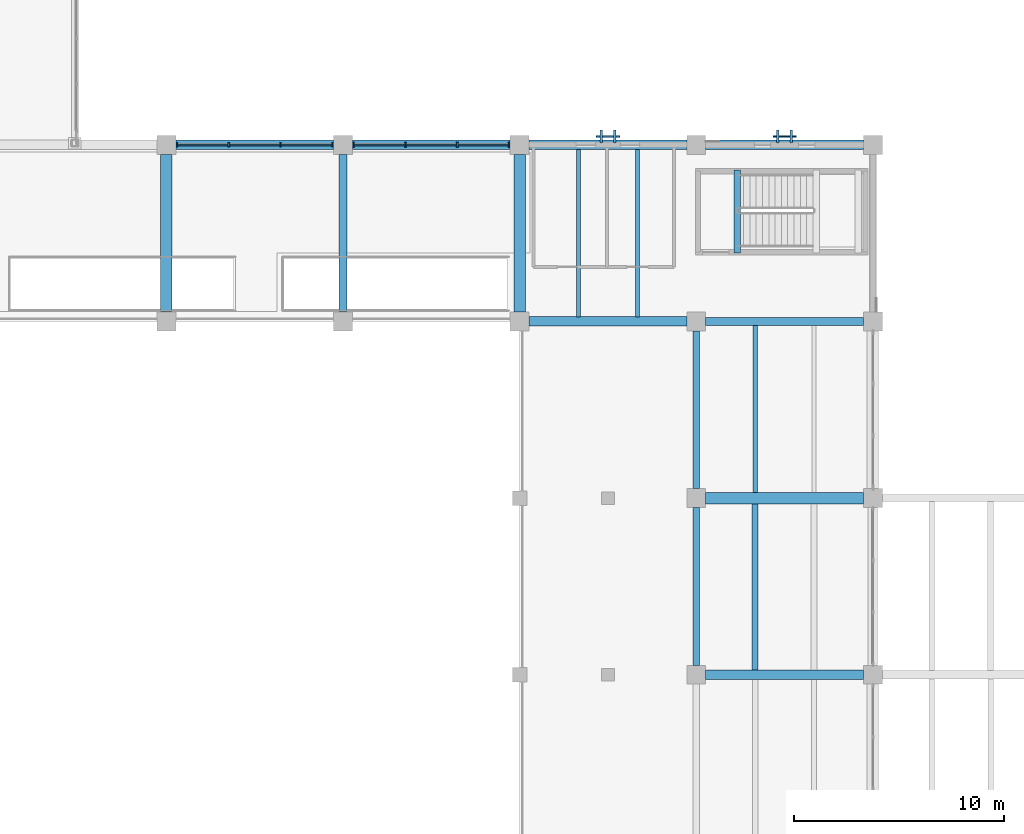
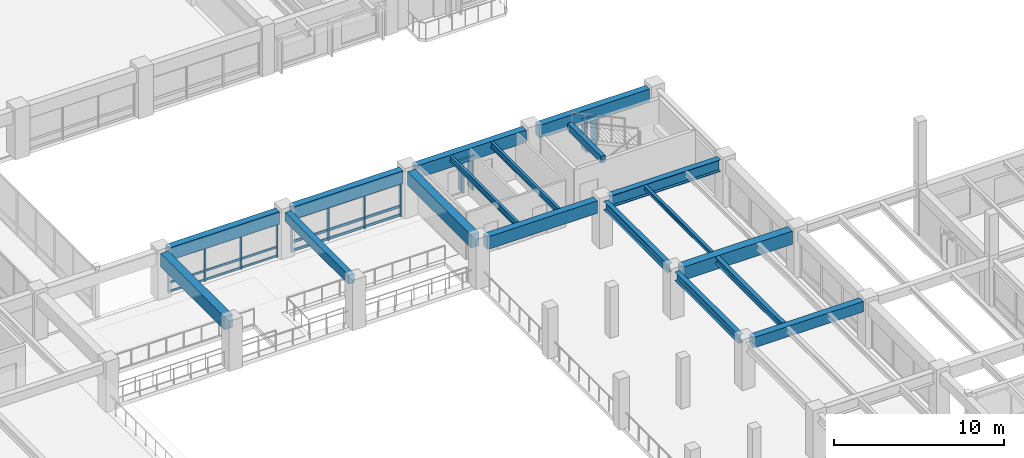
# One storey, part 19 of 118: 32 members, 18 beams, 4 elements without a shape of their own.
"""IFC4 building model written with IfcOpenShell, lengths in metres."""

from ifc_helpers import new_model, si_unit, direction, frame, origin, origin_2d, place, context, subcontext, project, spatial, rectangle, i_section, extrude, material, material_profile, profile_set, type_object, element, aggregate, save


model = new_model("IFC4")

# Units and contexts
model_context = context("Model", 3, precision=1e-05, world=origin(), true_north=direction((0.0, 1.0)))
body_context = subcontext(model_context, "Body", "Model", "MODEL_VIEW")
ifc_project = project(units=[si_unit("LENGTHUNIT", "METRE"), si_unit("AREAUNIT", "SQUARE_METRE"), si_unit("VOLUMEUNIT", "CUBIC_METRE"), si_unit("PLANEANGLEUNIT", "RADIAN"), si_unit("MASSUNIT", "GRAM", prefix="KILO")], contexts=[model_context])

# Site, building, storey
site_placement = place(None, origin())
site = spatial("IfcSite", under=ifc_project, at=site_placement, CompositionType="ELEMENT")
building_placement = place(site_placement, origin())
building = spatial("IfcBuilding", under=site, at=building_placement, Name="Cumbredor Promenade Congress Hotel", CompositionType="ELEMENT")
storey_placement = place(building_placement, frame((0.0, 0.0, 3.919921875)))
storey = spatial("IfcBuildingStorey", under=building, at=storey_placement, Name="L01", CompositionType="ELEMENT", Elevation=3.919921875)

# Beams
ifc_material_1 = material(Name="Concrete C40/50", Category="concrete")
ifc_material_profile_1 = material_profile(ifc_material_1, rectangle(XDim=0.39990234375, YDim=0.64990234375, at=origin_2d()), Name="RC BEAM 400x650")
ifc_profile_set_1 = profile_set([ifc_material_profile_1], Name="Concrete C40/50")
beam_type_1 = type_object("IfcBeamType", Name="BM-RC-400x650", PredefinedType="BEAM", material=ifc_profile_set_1)
beam_1_placement = place(storey_placement, frame((42.0, 59.25, 3.03515625), z_axis=(0.0, 1.0, 0.0), x_axis=(-1.0, 0.0, 0.0)))
element("IfcBeam", 1, at=beam_1_placement, inside=storey, type_object=beam_type_1, Name="L02 Y-Grid Beam 069", PredefinedType="BEAM", context=body_context, shape_type="SweptSolid", body=[
    extrude(rectangle(XDim=0.39990234375, YDim=0.64990234375, at=origin_2d()), origin(), (0.0, 0.0, 1.0), 7.5),
])
ifc_material_profile_2 = material_profile(ifc_material_1, rectangle(XDim=0.449951171875, YDim=0.75, at=origin_2d()), Name="RC BEAM 450x750")
ifc_profile_set_2 = profile_set([ifc_material_profile_2], Name="Concrete C40/50")
beam_type_2 = type_object("IfcBeamType", Name="BM-RC-450x750", PredefinedType="BEAM", material=ifc_profile_set_2)
beam_2_placement = place(storey_placement, frame((59.25, 42.0, 2.985107421875), z_axis=(1.0, 0.0, 0.0), x_axis=(0.0, 1.0, 0.0)))
element("IfcBeam", 2, at=beam_2_placement, inside=storey, type_object=beam_type_2, Name="L02 X-Grid Beam 098", PredefinedType="BEAM", context=body_context, shape_type="SweptSolid", body=[
    extrude(rectangle(XDim=0.449951171875, YDim=0.75, at=origin_2d()), origin(), (0.0, 0.0, 1.0), 7.5),
])
ifc_material_profile_3 = material_profile(ifc_material_1, rectangle(XDim=0.550048828125, YDim=0.949951171875, at=origin_2d()), Name="RC BEAM 550x950")
ifc_profile_set_3 = profile_set([ifc_material_profile_3], Name="Concrete C40/50")
beam_type_3 = type_object("IfcBeamType", Name="BM-RC-550x950", PredefinedType="BEAM", material=ifc_profile_set_3)
for number, where, z_axis, x_axis, name in (
    (3, (33.60009765625, 59.25, 2.885009765625), (0.0, 1.0, 0.0), (-1.0, 0.0, 0.0), "L02 Y-Grid Beam 060"),
    (4, (50.39990234375, 59.25, 2.885009765625), (0.0, 1.0, 0.0), (-1.0, 0.0, 0.0), "L02 Y-Grid Beam 080"),
    (5, (59.25, 50.39990234375, 2.885009765625), (1.0, 0.0, 0.0), (0.0, 1.0, 0.0), "L02 X-Grid Beam 100"),
):
    element("IfcBeam", number, at=place(storey_placement, frame(where, z_axis=z_axis, x_axis=x_axis)), inside=storey, type_object=beam_type_3, Name=name, PredefinedType="BEAM", context=body_context, shape_type="SweptSolid", body=[
        extrude(rectangle(XDim=0.550048828125, YDim=0.949951171875, at=origin_2d()), origin(), (0.0, 0.0, 1.0), 7.5),
    ])
ifc_material_2 = material(Name="Steel ASTM A992 Grade 50", Category="steel")
ifc_material_profile_4 = material_profile(ifc_material_2, i_section(OverallWidth=0.39990234375, OverallDepth=0.85498046875, WebThickness=0.018310546875, FlangeThickness=0.029296875, at=origin_2d()), Name="W33X201")
ifc_profile_set_4 = profile_set([ifc_material_profile_4], Name="Steel ASTM A992 Grade 50")
beam_type_4 = type_object("IfcBeamType", Name="BM-W33X201", PredefinedType="BEAM", material=ifc_profile_set_4)
beam_3_placement = place(storey_placement, frame((59.25, 58.800048828125, 2.9326171875), z_axis=(1.0, 0.0, 0.0), x_axis=(0.0, 1.0, 0.0)))
element("IfcBeam", 6, at=beam_3_placement, inside=storey, type_object=beam_type_4, Name="L02 X-Grid Beam 102", PredefinedType="BEAM", context=body_context, shape_type="SweptSolid", body=[
    extrude(i_section(OverallWidth=0.39990234375, OverallDepth=0.85498046875, WebThickness=0.018310546875, FlangeThickness=0.029296875, at=origin_2d()), origin(), (0.0, 0.0, 1.0), 7.5),
])

# Curtain wall, members
ifc_material_3 = material(Name="Thermally broken anodized aluminium and low-E glass", Category="aluminium")
curtain_wall_type_1 = type_object("IfcCurtainWallType", Name="Unitised Bronze Curtain Wall CW-01", PredefinedType="NOTDEFINED", material=ifc_material_3)
curtain_wall_1_placement = place(storey_placement, origin())
curtain_wall_1 = element("IfcCurtainWall", 7, at=curtain_wall_1_placement, inside=storey, type_object=curtain_wall_type_1, Name="L01 Plenary Congress Hall North Curtain Wall 4", PredefinedType="NOTDEFINED")
ifc_material_4 = material(Name="Thermally broken anodized aluminium", Category="aluminium")
ifc_material_profile_5 = material_profile(ifc_material_4, rectangle(XDim=0.074951171875, YDim=0.199951171875, at=origin_2d()), Name="ALU MULLION 75x200")
ifc_profile_set_5 = profile_set([ifc_material_profile_5], Name="Thermally broken anodized aluminium")
member_type_1 = type_object("IfcMemberType", Name="Curtain Wall Mullion ML-02", PredefinedType="MULLION", material=ifc_profile_set_5)
member_1_placement = place(storey_placement, frame((34.10498046875, 67.199951171875, -0.0078125), z_axis=(0.0, 0.0, 1.0), x_axis=(1.0, 0.0, 0.0)))
member_1 = element("IfcMember", 8, at=member_1_placement, type_object=member_type_1, Name="L01 Plenary Congress Hall North Curtain Wall 4 Mullion 1", PredefinedType="MULLION", context=body_context, shape_type="SweptSolid", body=[
    extrude(rectangle(XDim=0.074951171875, YDim=0.199951171875, at=origin_2d()), origin(), (0.0, 0.0, 1.0), 2.4609375),
])
member_2_placement = place(storey_placement, frame((36.568359375, 67.199951171875, -0.0078125), z_axis=(0.0, 0.0, 1.0), x_axis=(1.0, 0.0, 0.0)))
member_2 = element("IfcMember", 9, at=member_2_placement, type_object=member_type_1, Name="L01 Plenary Congress Hall North Curtain Wall 4 Mullion 2", PredefinedType="MULLION", context=body_context, shape_type="SweptSolid", body=[
    extrude(rectangle(XDim=0.074951171875, YDim=0.199951171875, at=origin_2d()), origin(), (0.0, 0.0, 1.0), 2.4609375),
])
member_3_placement = place(storey_placement, frame((39.03173828125, 67.199951171875, -0.0078125), z_axis=(0.0, 0.0, 1.0), x_axis=(1.0, 0.0, 0.0)))
member_3 = element("IfcMember", 10, at=member_3_placement, type_object=member_type_1, Name="L01 Plenary Congress Hall North Curtain Wall 4 Mullion 3", PredefinedType="MULLION", context=body_context, shape_type="SweptSolid", body=[
    extrude(rectangle(XDim=0.074951171875, YDim=0.199951171875, at=origin_2d()), origin(), (0.0, 0.0, 1.0), 2.4609375),
])
member_4_placement = place(storey_placement, frame((41.4951171875, 67.199951171875, -0.0078125), z_axis=(0.0, 0.0, 1.0), x_axis=(1.0, 0.0, 0.0)))
member_4 = element("IfcMember", 11, at=member_4_placement, type_object=member_type_1, Name="L01 Plenary Congress Hall North Curtain Wall 4 Mullion 4", PredefinedType="MULLION", context=body_context, shape_type="SweptSolid", body=[
    extrude(rectangle(XDim=0.074951171875, YDim=0.199951171875, at=origin_2d()), origin(), (0.0, 0.0, 1.0), 2.4609375),
])

curtain_wall_2_placement = place(storey_placement, origin())
curtain_wall_2 = element("IfcCurtainWall", 12, at=curtain_wall_2_placement, inside=storey, type_object=curtain_wall_type_1, Name="L01 Plenary Congress Hall North Curtain Wall 5", PredefinedType="NOTDEFINED")
ifc_material_profile_6 = material_profile(ifc_material_4, rectangle(XDim=0.080078125, YDim=0.239990234375, at=origin_2d()), Name="ALU MULLION 80x240")
ifc_profile_set_6 = profile_set([ifc_material_profile_6], Name="Thermally broken anodized aluminium")
member_type_2 = type_object("IfcMemberType", Name="Curtain Wall Mullion ML-03", PredefinedType="MULLION", material=ifc_profile_set_6)
member_5_placement = place(storey_placement, frame((42.5048828125, 67.199951171875, -0.0078125), z_axis=(0.0, 0.0, 1.0), x_axis=(1.0, 0.0, 0.0)))
member_5 = element("IfcMember", 13, at=member_5_placement, type_object=member_type_2, Name="L01 Plenary Congress Hall North Curtain Wall 5 Mullion 1", PredefinedType="MULLION", context=body_context, shape_type="SweptSolid", body=[
    extrude(rectangle(XDim=0.080078125, YDim=0.239990234375, at=origin_2d()), origin(), (0.0, 0.0, 1.0), 2.4609375),
])
member_6_placement = place(storey_placement, frame((44.96826171875, 67.199951171875, -0.0078125), z_axis=(0.0, 0.0, 1.0), x_axis=(1.0, 0.0, 0.0)))
member_6 = element("IfcMember", 14, at=member_6_placement, type_object=member_type_2, Name="L01 Plenary Congress Hall North Curtain Wall 5 Mullion 2", PredefinedType="MULLION", context=body_context, shape_type="SweptSolid", body=[
    extrude(rectangle(XDim=0.080078125, YDim=0.239990234375, at=origin_2d()), origin(), (0.0, 0.0, 1.0), 2.4609375),
])
member_7_placement = place(storey_placement, frame((47.431640625, 67.199951171875, -0.0078125), z_axis=(0.0, 0.0, 1.0), x_axis=(1.0, 0.0, 0.0)))
member_7 = element("IfcMember", 15, at=member_7_placement, type_object=member_type_2, Name="L01 Plenary Congress Hall North Curtain Wall 5 Mullion 3", PredefinedType="MULLION", context=body_context, shape_type="SweptSolid", body=[
    extrude(rectangle(XDim=0.080078125, YDim=0.239990234375, at=origin_2d()), origin(), (0.0, 0.0, 1.0), 2.4609375),
])
member_8_placement = place(storey_placement, frame((49.89501953125, 67.199951171875, -0.0078125), z_axis=(0.0, 0.0, 1.0), x_axis=(1.0, 0.0, 0.0)))
member_8 = element("IfcMember", 16, at=member_8_placement, type_object=member_type_2, Name="L01 Plenary Congress Hall North Curtain Wall 5 Mullion 4", PredefinedType="MULLION", context=body_context, shape_type="SweptSolid", body=[
    extrude(rectangle(XDim=0.080078125, YDim=0.239990234375, at=origin_2d()), origin(), (0.0, 0.0, 1.0), 2.4609375),
])

# Curtain wall, member
curtain_wall_type_2 = type_object("IfcCurtainWallType", Name="Solar Brise-Soleil Screen Assembly CW-07", PredefinedType="NOTDEFINED", material=ifc_material_3)
curtain_wall_3_placement = place(storey_placement, origin())
curtain_wall_3 = element("IfcCurtainWall", 17, at=curtain_wall_3_placement, inside=storey, type_object=curtain_wall_type_2, Name="L01 Pier Brise-Soleil Screen 0157", PredefinedType="NOTDEFINED")
ifc_material_profile_7 = material_profile(ifc_material_4, rectangle(XDim=0.06494140625, YDim=0.1298828125, at=origin_2d()), Name="ALU TRANSOM 65x130")
ifc_profile_set_7 = profile_set([ifc_material_profile_7], Name="Thermally broken anodized aluminium")
member_type_3 = type_object("IfcMemberType", Name="Curtain Wall Transom TR-01", PredefinedType="USERDEFINED", material=ifc_profile_set_7)
member_9_placement = place(storey_placement, frame((54.050048828125, 67.590087890625, 2.28515625), z_axis=(1.0, 0.0, 0.0), x_axis=(0.0, 1.0, 0.0)))
member_9 = element("IfcMember", 18, at=member_9_placement, type_object=member_type_3, Name="L01 Pier Brise-Soleil Header 0159", ObjectType="TRANSOM", PredefinedType="USERDEFINED", context=body_context, shape_type="SweptSolid", body=[
    extrude(rectangle(XDim=0.06494140625, YDim=0.1298828125, at=origin_2d()), origin(), (0.0, 0.0, 1.0), 1.099853515625),
])

curtain_wall_4_placement = place(storey_placement, origin())
curtain_wall_4 = element("IfcCurtainWall", 19, at=curtain_wall_4_placement, inside=storey, type_object=curtain_wall_type_2, Name="L01 Pier Brise-Soleil Screen 0160", PredefinedType="NOTDEFINED")
member_10_placement = place(storey_placement, frame((62.449951171875, 67.60009765625, 2.28515625), z_axis=(1.0, 0.0, 0.0), x_axis=(0.0, 1.0, 0.0)))
member_10 = element("IfcMember", 20, at=member_10_placement, type_object=member_type_3, Name="L01 Pier Brise-Soleil Header 0162", ObjectType="TRANSOM", PredefinedType="USERDEFINED", context=body_context, shape_type="SweptSolid", body=[
    extrude(rectangle(XDim=0.06494140625, YDim=0.1298828125, at=origin_2d()), origin(), (0.0, 0.0, 1.0), 1.10009765625),
])

# Member
ifc_material_profile_8 = material_profile(ifc_material_4, rectangle(XDim=0.074951171875, YDim=0.14990234375, at=origin_2d()), Name="ALU TRANSOM 75x150")
ifc_profile_set_8 = profile_set([ifc_material_profile_8], Name="Thermally broken anodized aluminium")
member_type_4 = type_object("IfcMemberType", Name="Curtain Wall Transom TR-02", PredefinedType="USERDEFINED", material=ifc_profile_set_8)
member_11_placement = place(storey_placement, frame((34.142578125, 67.199951171875, 0.080078125), z_axis=(1.0, 0.0, 0.0), x_axis=(0.0, 1.0, 0.0)))
member_11 = element("IfcMember", 21, at=member_11_placement, type_object=member_type_4, Name="L01 Plenary Congress Hall North Curtain Wall 4 Transom 1.1", ObjectType="TRANSOM", PredefinedType="USERDEFINED", context=body_context, shape_type="SweptSolid", body=[
    extrude(rectangle(XDim=0.074951171875, YDim=0.14990234375, at=origin_2d()), origin(), (0.0, 0.0, 1.0), 2.38818359375),
])

member_12_placement = place(storey_placement, frame((34.142578125, 67.199951171875, 0.719970703125), z_axis=(1.0, 0.0, 0.0), x_axis=(0.0, 1.0, 0.0)))
member_12 = element("IfcMember", 22, at=member_12_placement, type_object=member_type_4, Name="L01 Plenary Congress Hall North Curtain Wall 4 Transom 1.2", ObjectType="TRANSOM", PredefinedType="USERDEFINED", context=body_context, shape_type="SweptSolid", body=[
    extrude(rectangle(XDim=0.074951171875, YDim=0.14990234375, at=origin_2d()), origin(), (0.0, 0.0, 1.0), 2.38818359375),
])

member_13_placement = place(storey_placement, frame((34.142578125, 67.199951171875, 2.3701171875), z_axis=(1.0, 0.0, 0.0), x_axis=(0.0, 1.0, 0.0)))
member_13 = element("IfcMember", 23, at=member_13_placement, type_object=member_type_4, Name="L01 Plenary Congress Hall North Curtain Wall 4 Transom 1.3", ObjectType="TRANSOM", PredefinedType="USERDEFINED", context=body_context, shape_type="SweptSolid", body=[
    extrude(rectangle(XDim=0.074951171875, YDim=0.14990234375, at=origin_2d()), origin(), (0.0, 0.0, 1.0), 2.38818359375),
])

member_14_placement = place(storey_placement, frame((36.605712890625, 67.199951171875, 0.080078125), z_axis=(1.0, 0.0, 0.0), x_axis=(0.0, 1.0, 0.0)))
member_14 = element("IfcMember", 24, at=member_14_placement, type_object=member_type_4, Name="L01 Plenary Congress Hall North Curtain Wall 4 Transom 2.1", ObjectType="TRANSOM", PredefinedType="USERDEFINED", context=body_context, shape_type="SweptSolid", body=[
    extrude(rectangle(XDim=0.074951171875, YDim=0.14990234375, at=origin_2d()), origin(), (0.0, 0.0, 1.0), 2.388427734375),
])

member_15_placement = place(storey_placement, frame((36.605712890625, 67.199951171875, 0.719970703125), z_axis=(1.0, 0.0, 0.0), x_axis=(0.0, 1.0, 0.0)))
member_15 = element("IfcMember", 25, at=member_15_placement, type_object=member_type_4, Name="L01 Plenary Congress Hall North Curtain Wall 4 Transom 2.2", ObjectType="TRANSOM", PredefinedType="USERDEFINED", context=body_context, shape_type="SweptSolid", body=[
    extrude(rectangle(XDim=0.074951171875, YDim=0.14990234375, at=origin_2d()), origin(), (0.0, 0.0, 1.0), 2.388427734375),
])

member_16_placement = place(storey_placement, frame((36.605712890625, 67.199951171875, 2.3701171875), z_axis=(1.0, 0.0, 0.0), x_axis=(0.0, 1.0, 0.0)))
member_16 = element("IfcMember", 26, at=member_16_placement, type_object=member_type_4, Name="L01 Plenary Congress Hall North Curtain Wall 4 Transom 2.3", ObjectType="TRANSOM", PredefinedType="USERDEFINED", context=body_context, shape_type="SweptSolid", body=[
    extrude(rectangle(XDim=0.074951171875, YDim=0.14990234375, at=origin_2d()), origin(), (0.0, 0.0, 1.0), 2.388427734375),
])

member_17_placement = place(storey_placement, frame((39.069091796875, 67.199951171875, 0.080078125), z_axis=(1.0, 0.0, 0.0), x_axis=(0.0, 1.0, 0.0)))
member_17 = element("IfcMember", 27, at=member_17_placement, type_object=member_type_4, Name="L01 Plenary Congress Hall North Curtain Wall 4 Transom 3.1", ObjectType="TRANSOM", PredefinedType="USERDEFINED", context=body_context, shape_type="SweptSolid", body=[
    extrude(rectangle(XDim=0.074951171875, YDim=0.14990234375, at=origin_2d()), origin(), (0.0, 0.0, 1.0), 2.388427734375),
])

member_18_placement = place(storey_placement, frame((39.069091796875, 67.199951171875, 0.719970703125), z_axis=(1.0, 0.0, 0.0), x_axis=(0.0, 1.0, 0.0)))
member_18 = element("IfcMember", 28, at=member_18_placement, type_object=member_type_4, Name="L01 Plenary Congress Hall North Curtain Wall 4 Transom 3.2", ObjectType="TRANSOM", PredefinedType="USERDEFINED", context=body_context, shape_type="SweptSolid", body=[
    extrude(rectangle(XDim=0.074951171875, YDim=0.14990234375, at=origin_2d()), origin(), (0.0, 0.0, 1.0), 2.388427734375),
])

member_19_placement = place(storey_placement, frame((39.069091796875, 67.199951171875, 2.3701171875), z_axis=(1.0, 0.0, 0.0), x_axis=(0.0, 1.0, 0.0)))
member_19 = element("IfcMember", 29, at=member_19_placement, type_object=member_type_4, Name="L01 Plenary Congress Hall North Curtain Wall 4 Transom 3.3", ObjectType="TRANSOM", PredefinedType="USERDEFINED", context=body_context, shape_type="SweptSolid", body=[
    extrude(rectangle(XDim=0.074951171875, YDim=0.14990234375, at=origin_2d()), origin(), (0.0, 0.0, 1.0), 2.388427734375),
])

aggregate(curtain_wall_1, [member_1, member_2, member_3, member_4, member_11, member_12, member_13, member_14, member_15, member_16, member_17, member_18, member_19])

ifc_material_profile_9 = material_profile(ifc_material_4, rectangle(XDim=0.080078125, YDim=0.179931640625, at=origin_2d()), Name="ALU TRANSOM 80x180")
ifc_profile_set_9 = profile_set([ifc_material_profile_9], Name="Thermally broken anodized aluminium")
member_type_5 = type_object("IfcMemberType", Name="Curtain Wall Transom TR-03", PredefinedType="USERDEFINED", material=ifc_profile_set_9)
member_20_placement = place(storey_placement, frame((42.544921875, 67.199951171875, 0.090087890625), z_axis=(1.0, 0.0, 0.0), x_axis=(0.0, 1.0, 0.0)))
member_20 = element("IfcMember", 30, at=member_20_placement, type_object=member_type_5, Name="L01 Plenary Congress Hall North Curtain Wall 5 Transom 1.1", ObjectType="TRANSOM", PredefinedType="USERDEFINED", context=body_context, shape_type="SweptSolid", body=[
    extrude(rectangle(XDim=0.080078125, YDim=0.179931640625, at=origin_2d()), origin(), (0.0, 0.0, 1.0), 2.38330078125),
])

member_21_placement = place(storey_placement, frame((42.544921875, 67.199951171875, 0.719970703125), z_axis=(1.0, 0.0, 0.0), x_axis=(0.0, 1.0, 0.0)))
member_21 = element("IfcMember", 31, at=member_21_placement, type_object=member_type_5, Name="L01 Plenary Congress Hall North Curtain Wall 5 Transom 1.2", ObjectType="TRANSOM", PredefinedType="USERDEFINED", context=body_context, shape_type="SweptSolid", body=[
    extrude(rectangle(XDim=0.080078125, YDim=0.179931640625, at=origin_2d()), origin(), (0.0, 0.0, 1.0), 2.38330078125),
])

member_22_placement = place(storey_placement, frame((42.544921875, 67.199951171875, 2.360107421875), z_axis=(1.0, 0.0, 0.0), x_axis=(0.0, 1.0, 0.0)))
member_22 = element("IfcMember", 32, at=member_22_placement, type_object=member_type_5, Name="L01 Plenary Congress Hall North Curtain Wall 5 Transom 1.3", ObjectType="TRANSOM", PredefinedType="USERDEFINED", context=body_context, shape_type="SweptSolid", body=[
    extrude(rectangle(XDim=0.080078125, YDim=0.179931640625, at=origin_2d()), origin(), (0.0, 0.0, 1.0), 2.38330078125),
])

member_23_placement = place(storey_placement, frame((45.00830078125, 67.199951171875, 0.090087890625), z_axis=(1.0, 0.0, 0.0), x_axis=(0.0, 1.0, 0.0)))
member_23 = element("IfcMember", 33, at=member_23_placement, type_object=member_type_5, Name="L01 Plenary Congress Hall North Curtain Wall 5 Transom 2.1", ObjectType="TRANSOM", PredefinedType="USERDEFINED", context=body_context, shape_type="SweptSolid", body=[
    extrude(rectangle(XDim=0.080078125, YDim=0.179931640625, at=origin_2d()), origin(), (0.0, 0.0, 1.0), 2.38330078125),
])

member_24_placement = place(storey_placement, frame((45.00830078125, 67.199951171875, 0.719970703125), z_axis=(1.0, 0.0, 0.0), x_axis=(0.0, 1.0, 0.0)))
member_24 = element("IfcMember", 34, at=member_24_placement, type_object=member_type_5, Name="L01 Plenary Congress Hall North Curtain Wall 5 Transom 2.2", ObjectType="TRANSOM", PredefinedType="USERDEFINED", context=body_context, shape_type="SweptSolid", body=[
    extrude(rectangle(XDim=0.080078125, YDim=0.179931640625, at=origin_2d()), origin(), (0.0, 0.0, 1.0), 2.38330078125),
])

member_25_placement = place(storey_placement, frame((45.00830078125, 67.199951171875, 2.360107421875), z_axis=(1.0, 0.0, 0.0), x_axis=(0.0, 1.0, 0.0)))
member_25 = element("IfcMember", 35, at=member_25_placement, type_object=member_type_5, Name="L01 Plenary Congress Hall North Curtain Wall 5 Transom 2.3", ObjectType="TRANSOM", PredefinedType="USERDEFINED", context=body_context, shape_type="SweptSolid", body=[
    extrude(rectangle(XDim=0.080078125, YDim=0.179931640625, at=origin_2d()), origin(), (0.0, 0.0, 1.0), 2.38330078125),
])

member_26_placement = place(storey_placement, frame((47.4716796875, 67.199951171875, 0.090087890625), z_axis=(1.0, 0.0, 0.0), x_axis=(0.0, 1.0, 0.0)))
member_26 = element("IfcMember", 36, at=member_26_placement, type_object=member_type_5, Name="L01 Plenary Congress Hall North Curtain Wall 5 Transom 3.1", ObjectType="TRANSOM", PredefinedType="USERDEFINED", context=body_context, shape_type="SweptSolid", body=[
    extrude(rectangle(XDim=0.080078125, YDim=0.179931640625, at=origin_2d()), origin(), (0.0, 0.0, 1.0), 2.38330078125),
])

member_27_placement = place(storey_placement, frame((47.4716796875, 67.199951171875, 0.719970703125), z_axis=(1.0, 0.0, 0.0), x_axis=(0.0, 1.0, 0.0)))
member_27 = element("IfcMember", 37, at=member_27_placement, type_object=member_type_5, Name="L01 Plenary Congress Hall North Curtain Wall 5 Transom 3.2", ObjectType="TRANSOM", PredefinedType="USERDEFINED", context=body_context, shape_type="SweptSolid", body=[
    extrude(rectangle(XDim=0.080078125, YDim=0.179931640625, at=origin_2d()), origin(), (0.0, 0.0, 1.0), 2.38330078125),
])

member_28_placement = place(storey_placement, frame((47.4716796875, 67.199951171875, 2.360107421875), z_axis=(1.0, 0.0, 0.0), x_axis=(0.0, 1.0, 0.0)))
member_28 = element("IfcMember", 38, at=member_28_placement, type_object=member_type_5, Name="L01 Plenary Congress Hall North Curtain Wall 5 Transom 3.3", ObjectType="TRANSOM", PredefinedType="USERDEFINED", context=body_context, shape_type="SweptSolid", body=[
    extrude(rectangle(XDim=0.080078125, YDim=0.179931640625, at=origin_2d()), origin(), (0.0, 0.0, 1.0), 2.38330078125),
])

aggregate(curtain_wall_2, [member_5, member_6, member_7, member_8, member_20, member_21, member_22, member_23, member_24, member_25, member_26, member_27, member_28])

# Beams
ifc_material_profile_10 = material_profile(ifc_material_2, i_section(OverallWidth=0.202880859375, OverallDepth=0.302978515625, WebThickness=0.007568359375, FlangeThickness=0.01318359375, at=origin_2d()), Name="W12X40")
ifc_profile_set_10 = profile_set([ifc_material_profile_10], Name="Steel ASTM A992 Grade 50")
beam_type_5 = type_object("IfcBeamType", Name="JST-W12X40", PredefinedType="JOIST", material=ifc_profile_set_10)
beam_4_placement = place(storey_placement, frame((61.60009765625, 50.675048828125, 3.20849609375), z_axis=(0.0, 1.0, 0.0), x_axis=(-1.0, 0.0, 0.0)))
element("IfcBeam", 39, at=beam_4_placement, inside=storey, type_object=beam_type_5, Name="L02 Secondary Floor Joist 0052", PredefinedType="JOIST", context=body_context, shape_type="SweptSolid", body=[
    extrude(i_section(OverallWidth=0.202880859375, OverallDepth=0.302978515625, WebThickness=0.007568359375, FlangeThickness=0.01318359375, at=origin_2d()), origin(), (0.0, 0.0, 1.0), 7.925048828125),
])
ifc_material_profile_11 = material_profile(ifc_material_2, i_section(OverallWidth=0.180908203125, OverallDepth=0.4169921875, WebThickness=0.010986328125, FlangeThickness=0.018310546875, at=origin_2d()), Name="W16X57")
ifc_profile_set_11 = profile_set([ifc_material_profile_11], Name="Steel ASTM A992 Grade 50")
beam_type_6 = type_object("IfcBeamType", Name="JST-W16X57", PredefinedType="JOIST", material=ifc_profile_set_11)
for number, where, z_axis, x_axis, name in (
    (40, (53.199951171875, 59.02490234375, 3.151611328125), (0.0, 1.0, 0.0), (-1.0, 0.0, 0.0), "L02 Secondary Floor Joist 0034"),
    (41, (56.0, 59.02490234375, 3.151611328125), (0.0, 1.0, 0.0), (-1.0, 0.0, 0.0), "L02 Secondary Floor Joist 0035"),
):
    element("IfcBeam", number, at=place(storey_placement, frame(where, z_axis=z_axis, x_axis=x_axis)), inside=storey, type_object=beam_type_6, Name=name, PredefinedType="JOIST", context=body_context, shape_type="SweptSolid", body=[
        extrude(i_section(OverallWidth=0.180908203125, OverallDepth=0.4169921875, WebThickness=0.010986328125, FlangeThickness=0.018310546875, at=origin_2d()), origin(), (0.0, 0.0, 1.0), 7.9501953125),
    ])
ifc_material_profile_12 = material_profile(ifc_material_2, i_section(OverallWidth=0.280029296875, OverallDepth=0.462890625, WebThickness=0.0107421875, FlangeThickness=0.017333984375, at=origin_2d()), Name="W18X76")
ifc_profile_set_12 = profile_set([ifc_material_profile_12], Name="Steel ASTM A992 Grade 50")
beam_type_7 = type_object("IfcBeamType", Name="JST-W18X76", PredefinedType="JOIST", material=ifc_profile_set_12)
beam_5_placement = place(storey_placement, frame((61.60009765625, 42.22509765625, 3.128662109375), z_axis=(0.0, 1.0, 0.0), x_axis=(-1.0, 0.0, 0.0)))
element("IfcBeam", 42, at=beam_5_placement, inside=storey, type_object=beam_type_7, Name="L02 Secondary Floor Joist 0050", PredefinedType="JOIST", context=body_context, shape_type="SweptSolid", body=[
    extrude(i_section(OverallWidth=0.280029296875, OverallDepth=0.462890625, WebThickness=0.0107421875, FlangeThickness=0.017333984375, at=origin_2d()), origin(), (0.0, 0.0, 1.0), 7.89990234375),
])
ifc_material_profile_13 = material_profile(ifc_material_1, rectangle(XDim=0.300048828125, YDim=0.5, at=origin_2d()), Name="RC LINTEL 300x500")
ifc_profile_set_13 = profile_set([ifc_material_profile_13], Name="Concrete C40/50")
beam_type_8 = type_object("IfcBeamType", Name="LN-RC-300x500", PredefinedType="LINTEL", material=ifc_profile_set_13)
beam_6_placement = place(storey_placement, frame((60.75, 62.050048828125, 3.39013671875), z_axis=(0.0, 1.0, 0.0), x_axis=(-1.0, 0.0, 0.0)))
element("IfcBeam", 43, at=beam_6_placement, inside=storey, type_object=beam_type_8, Name="L02 Stair ST-07 Well Header Trimmer Beam", PredefinedType="LINTEL", context=body_context, shape_type="SweptSolid", body=[
    extrude(rectangle(XDim=0.300048828125, YDim=0.5, at=origin_2d()), origin(), (0.0, 0.0, 1.0), 3.949951171875),
])
ifc_material_profile_14 = material_profile(ifc_material_1, rectangle(XDim=0.449951171875, YDim=0.89990234375, at=origin_2d()), Name="RC SPANDREL 450x900")
ifc_profile_set_14 = profile_set([ifc_material_profile_14], Name="Concrete C40/50")
beam_type_9 = type_object("IfcBeamType", Name="SP-RC-450x900", PredefinedType="SPANDREL", material=ifc_profile_set_14)
for number, where, z_axis, x_axis, name in (
    (44, (34.050048828125, 67.199951171875, 2.91015625), (1.0, 0.0, 0.0), (0.0, 1.0, 0.0), "L02 X-Grid Beam 061"),
    (45, (42.449951171875, 67.199951171875, 2.91015625), (1.0, 0.0, 0.0), (0.0, 1.0, 0.0), "L02 X-Grid Beam 070"),
    (46, (50.85009765625, 58.800048828125, 2.91015625), (1.0, 0.0, 0.0), (0.0, 1.0, 0.0), "L02 X-Grid Beam 079"),
    (47, (50.85009765625, 67.199951171875, 2.91015625), (1.0, 0.0, 0.0), (0.0, 1.0, 0.0), "L02 X-Grid Beam 081"),
    (48, (59.25, 67.199951171875, 2.91015625), (1.0, 0.0, 0.0), (0.0, 1.0, 0.0), "L02 X-Grid Beam 103"),
):
    element("IfcBeam", number, at=place(storey_placement, frame(where, z_axis=z_axis, x_axis=x_axis)), inside=storey, type_object=beam_type_9, Name=name, PredefinedType="SPANDREL", context=body_context, shape_type="SweptSolid", body=[
        extrude(rectangle(XDim=0.449951171875, YDim=0.89990234375, at=origin_2d()), origin(), (0.0, 0.0, 1.0), 7.5),
    ])
ifc_material_profile_15 = material_profile(ifc_material_2, i_section(OverallWidth=0.323974609375, OverallDepth=0.611083984375, WebThickness=0.0126953125, FlangeThickness=0.01904296875, at=origin_2d()), Name="W24X104")
ifc_profile_set_15 = profile_set([ifc_material_profile_15], Name="Steel ASTM A992 Grade 50")
beam_type_10 = type_object("IfcBeamType", Name="SP-W24X104", PredefinedType="SPANDREL", material=ifc_profile_set_15)
for number, where, z_axis, x_axis, name in (
    (49, (58.800048828125, 42.449951171875, 3.0546875), (0.0, 1.0, 0.0), (-1.0, 0.0, 0.0), "L02 Y-Grid Beam 099"),
    (50, (58.800048828125, 50.85009765625, 3.0546875), (0.0, 1.0, 0.0), (-1.0, 0.0, 0.0), "L02 Y-Grid Beam 101"),
):
    element("IfcBeam", number, at=place(storey_placement, frame(where, z_axis=z_axis, x_axis=x_axis)), inside=storey, type_object=beam_type_10, Name=name, PredefinedType="SPANDREL", context=body_context, shape_type="SweptSolid", body=[
        extrude(i_section(OverallWidth=0.323974609375, OverallDepth=0.611083984375, WebThickness=0.0126953125, FlangeThickness=0.01904296875, at=origin_2d()), origin(), (0.0, 0.0, 1.0), 7.5),
    ])

# Member
ifc_material_profile_16 = material_profile(ifc_material_4, rectangle(XDim=0.110107421875, YDim=0.6201171875, at=origin_2d()), Name="ARCH FIN 110x620")
ifc_profile_set_16 = profile_set([ifc_material_profile_16], Name="Thermally broken anodized aluminium")
member_type_6 = type_object("IfcMemberType", Name="Vertical Bronze Brise-Soleil Fin BSF-02 110x620", PredefinedType="USERDEFINED", material=ifc_profile_set_16)
member_29_placement = place(storey_placement, frame((54.280029296875, 67.590087890625, 0.02001953125), z_axis=(0.0, 0.0, 1.0), x_axis=(1.0, 0.0, 0.0)))
member_29 = element("IfcMember", 51, at=member_29_placement, type_object=member_type_6, Name="L01 Pier Brise-Soleil Fin 0158", ObjectType="SOLAR FIN", PredefinedType="USERDEFINED", context=body_context, shape_type="SweptSolid", body=[
    extrude(rectangle(XDim=0.110107421875, YDim=0.6201171875, at=origin_2d()), origin(), (0.0, 0.0, 1.0), 2.30517578125),
])

member_30_placement = place(storey_placement, frame((54.919921875, 67.590087890625, 0.02001953125), z_axis=(0.0, 0.0, 1.0), x_axis=(1.0, 0.0, 0.0)))
member_30 = element("IfcMember", 52, at=member_30_placement, type_object=member_type_6, Name="L01 Pier Brise-Soleil Fin 0159", ObjectType="SOLAR FIN", PredefinedType="USERDEFINED", context=body_context, shape_type="SweptSolid", body=[
    extrude(rectangle(XDim=0.110107421875, YDim=0.6201171875, at=origin_2d()), origin(), (0.0, 0.0, 1.0), 2.30517578125),
])

aggregate(curtain_wall_3, [member_29, member_30, member_9])

member_31_placement = place(storey_placement, frame((62.679931640625, 67.60009765625, 0.02001953125), z_axis=(0.0, 0.0, 1.0), x_axis=(1.0, 0.0, 0.0)))
member_31 = element("IfcMember", 53, at=member_31_placement, type_object=member_type_6, Name="L01 Pier Brise-Soleil Fin 0161", ObjectType="SOLAR FIN", PredefinedType="USERDEFINED", context=body_context, shape_type="SweptSolid", body=[
    extrude(rectangle(XDim=0.110107421875, YDim=0.6201171875, at=origin_2d()), origin(), (0.0, 0.0, 1.0), 2.30517578125),
])

member_32_placement = place(storey_placement, frame((63.320068359375, 67.60009765625, 0.02001953125), z_axis=(0.0, 0.0, 1.0), x_axis=(1.0, 0.0, 0.0)))
member_32 = element("IfcMember", 54, at=member_32_placement, type_object=member_type_6, Name="L01 Pier Brise-Soleil Fin 0162", ObjectType="SOLAR FIN", PredefinedType="USERDEFINED", context=body_context, shape_type="SweptSolid", body=[
    extrude(rectangle(XDim=0.110107421875, YDim=0.6201171875, at=origin_2d()), origin(), (0.0, 0.0, 1.0), 2.30517578125),
])

aggregate(curtain_wall_4, [member_31, member_32, member_10])

save(model, "model.ifc")
